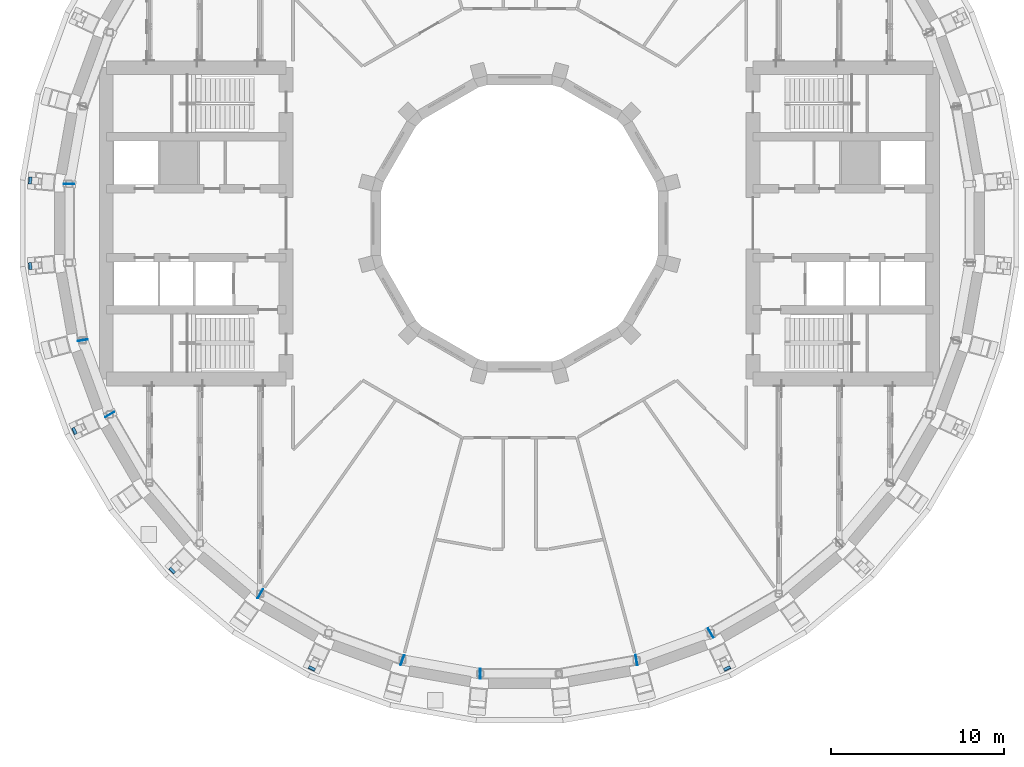
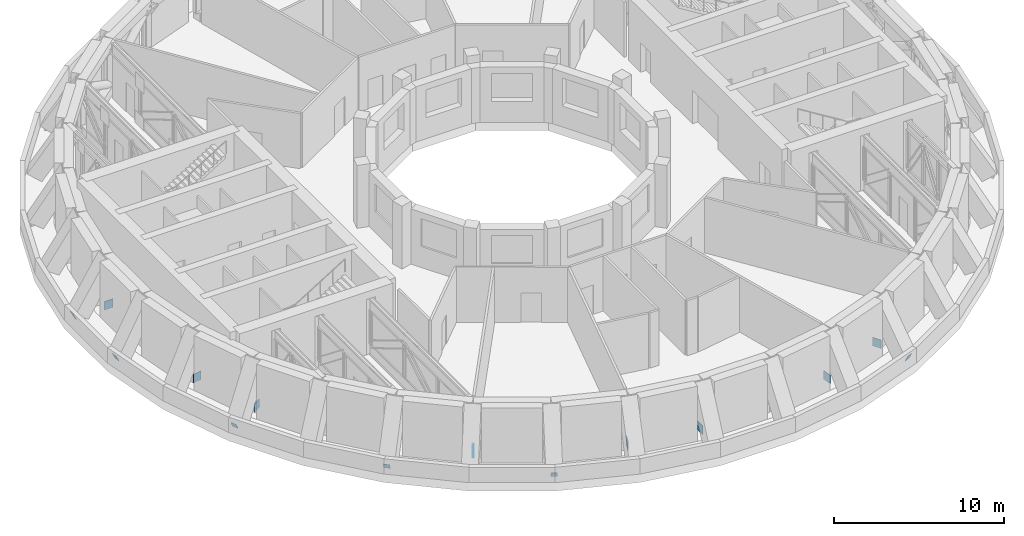
# One storey, part 15 of 19: 14 discrete accessories.
"""IFC4 building model written with IfcOpenShell, lengths in metres."""

from ifc_helpers import new_model, si_unit, direction, frame, origin, origin_2d, place, context, subcontext, project, spatial, rectangle, extrude, material, material_profile, profile_set, type_object, element, save


model = new_model("IFC4")

# Units and contexts
model_context = context("Model", 3, precision=1e-05, world=origin(), true_north=direction((0.0, 1.0)))
body_context = subcontext(model_context, "Body", "Model", "MODEL_VIEW")
ifc_project = project(units=[si_unit("LENGTHUNIT", "METRE"), si_unit("AREAUNIT", "SQUARE_METRE"), si_unit("VOLUMEUNIT", "CUBIC_METRE"), si_unit("PLANEANGLEUNIT", "RADIAN"), si_unit("MASSUNIT", "GRAM", prefix="KILO")], contexts=[model_context])

# Site, building, storey
site_placement = place(None, origin())
site = spatial("IfcSite", under=ifc_project, at=site_placement, CompositionType="ELEMENT")
building_placement = place(site_placement, origin())
building = spatial("IfcBuilding", under=site, at=building_placement, Name="Saqina Gate Tower", CompositionType="ELEMENT")
storey_placement = place(building_placement, frame((0.0, 0.0, 82.39990234375)))
storey = spatial("IfcBuildingStorey", under=building, at=storey_placement, Name="L23", CompositionType="ELEMENT", Elevation=82.39990234375)

# Discrete accessories
ifc_material_1 = material(Name="Steel S460", Category="steel")
ifc_material_profile_1 = material_profile(ifc_material_1, rectangle(XDim=0.39990234375, YDim=0.39990234375, at=origin_2d()), Name="STR-END PLATE-BOX 400x400x30")
ifc_profile_set_1 = profile_set([ifc_material_profile_1], Name="Steel S460")
discrete_accessory_type_1 = type_object("IfcDiscreteAccessoryType", Name="STR-END PLATE-BOX 400x400x30", PredefinedType="USERDEFINED", material=ifc_profile_set_1)
for number, where, z_axis, x_axis, name in (
    (1, (-28.2919921875, 2.475341796875, 0.18212890625), (-0.906220587302, 0.073477344916, -0.416371621193), (0.080815376223, 0.99672908805, 1.079054e-06), "END PLATE NODE TIE BEAM L23 18 FOOT START"),
    (2, (-28.2919921875, -2.475341796875, 0.18212890625), (-0.906220587302, -0.073477344916, -0.416371621193), (-0.080815376223, 0.99672908805, -1.079054e-06), "END PLATE NODE TIE BEAM L23 19 FOOT START"),
):
    element("IfcDiscreteAccessory", number, at=place(storey_placement, frame(where, z_axis=z_axis, x_axis=x_axis)), inside=storey, type_object=discrete_accessory_type_1, Name=name, ObjectType="END PLATE", PredefinedType="USERDEFINED", context=body_context, shape_type="SweptSolid", body=[
        extrude(rectangle(XDim=0.39990234375, YDim=0.39990234375, at=origin_2d()), origin(), (0.0, 0.0, 1.0), 0.02978515625),
    ])
for number, where, z_axis, x_axis, name in (
    (3, (-25.7392578125, -12.00244140625, 0.18212890625), (-0.824359337042, -0.383612760802, -0.416260655338), (-0.421905092484, 0.906640001816, 6.554031e-06), "END PLATE NODE TIE BEAM L23 21 FOOT START"),
    (4, (-20.081787109375, -20.081787109375, 0.18212890625), (-0.643255081633, -0.643255081633, -0.415265938776), (-0.707106781187, 0.707106781187, 0.0), "END PLATE NODE TIE BEAM L23 23 FOOT START"),
    (5, (-12.00244140625, -25.7392578125, 0.18212890625), (-0.383612760802, -0.824359337042, -0.416260655338), (-0.906640001816, 0.421905092484, -6.554031e-06), "END PLATE NODE TIE BEAM L23 25 FOOT START"),
    (6, (12.00244140625, -25.7392578125, 0.18212890625), (0.383612760802, -0.824359337042, -0.416260655338), (-0.906640001816, -0.421905092484, 6.554031e-06), "END PLATE NODE TIE BEAM L23 30 FOOT START"),
):
    element("IfcDiscreteAccessory", number, at=place(storey_placement, frame(where, z_axis=z_axis, x_axis=x_axis)), inside=storey, type_object=discrete_accessory_type_1, Name=name, ObjectType="END PLATE", PredefinedType="USERDEFINED", context=body_context, shape_type="SweptSolid", body=[
        extrude(rectangle(XDim=0.39990234375, YDim=0.39990234375, at=origin_2d()), origin(), (0.0, 0.0, 1.0), 0.030029296875),
    ])
ifc_material_2 = material(Name="Steel S460", Category="steel")
ifc_material_profile_2 = material_profile(ifc_material_2, rectangle(XDim=0.60009765625, YDim=0.60009765625, at=origin_2d()), Name="STR-END PLATE-BOX 600x600x50")
ifc_profile_set_2 = profile_set([ifc_material_profile_2], Name="Steel S460")
discrete_accessory_type_2 = type_object("IfcDiscreteAccessoryType", Name="STR-END PLATE-BOX 600x600x50", PredefinedType="USERDEFINED", material=ifc_profile_set_2)
for number, where, z_axis, x_axis, name in (
    (7, (-26.050537109375, 2.2529296875, 0.300048828125), (0.0, 1.0, 0.0), (1.0, 0.0, 0.0), "END PLATE BELT TRUSS L23 CHORD 040 START"),
    (8, (-25.263427734375, -6.7421875, 0.300048828125), (0.170314285219, -0.985389793052, 0.0), (0.985389793052, 0.170314285219, 0.0), "END PLATE BELT TRUSS L23 CHORD 043 END"),
    (9, (-23.686767578125, -11.07421875, 0.300048828125), (-0.500074377092, 0.865982457891, 0.0), (0.865982457891, 0.500074377092, 0.0), "END PLATE BELT TRUSS L23 CHORD 047 START"),
):
    element("IfcDiscreteAccessory", number, at=place(storey_placement, frame(where, z_axis=z_axis, x_axis=x_axis)), inside=storey, type_object=discrete_accessory_type_2, Name=name, ObjectType="END PLATE", PredefinedType="USERDEFINED", context=body_context, shape_type="SweptSolid", body=[
        extrude(rectangle(XDim=0.60009765625, YDim=0.60009765625, at=origin_2d()), origin(), (0.0, 0.0, 1.0), 0.0400390625),
    ])
discrete_accessory_placement = place(storey_placement, frame((-14.976318359375, -21.433837890625, 0.300048828125), z_axis=(-0.868619325293, 0.495480037667, 0.0), x_axis=(0.495480037667, 0.868619325293, 0.0)))
element("IfcDiscreteAccessory", 10, at=discrete_accessory_placement, inside=storey, type_object=discrete_accessory_type_2, Name="END PLATE BELT TRUSS L23 CHORD 054 START", ObjectType="END PLATE", PredefinedType="USERDEFINED", context=body_context, shape_type="SweptSolid", body=[
    extrude(rectangle(XDim=0.60009765625, YDim=0.60009765625, at=origin_2d()), origin(), (0.0, 0.0, 1.0), 0.039794921875),
])
for number, where, z_axis, x_axis, name in (
    (11, (-6.792724609375, -25.25, 0.300048828125), (0.939793423488, -0.341743063087, 0.0), (0.341743063087, 0.939793423488, 0.0), "END PLATE BELT TRUSS L23 CHORD 057 END"),
    (12, (-2.2529296875, -26.050537109375, 0.300048828125), (-1.0, 0.0, 0.0), (0.0, 1.0, 0.0), "END PLATE BELT TRUSS L23 CHORD 061 START"),
    (13, (6.7421875, -25.263427734375, 0.300048828125), (0.985389793052, 0.170314285219, 0.0), (-0.170314285219, 0.985389793052, 0.0), "END PLATE BELT TRUSS L23 CHORD 064 END"),
    (14, (11.07421875, -23.686767578125, 0.300048828125), (-0.865982457891, -0.500074377092, 0.0), (-0.500074377092, 0.865982457891, 0.0), "END PLATE BELT TRUSS L23 CHORD 068 START"),
):
    element("IfcDiscreteAccessory", number, at=place(storey_placement, frame(where, z_axis=z_axis, x_axis=x_axis)), inside=storey, type_object=discrete_accessory_type_2, Name=name, ObjectType="END PLATE", PredefinedType="USERDEFINED", context=body_context, shape_type="SweptSolid", body=[
        extrude(rectangle(XDim=0.60009765625, YDim=0.60009765625, at=origin_2d()), origin(), (0.0, 0.0, 1.0), 0.0400390625),
    ])

save(model, "model.ifc")
